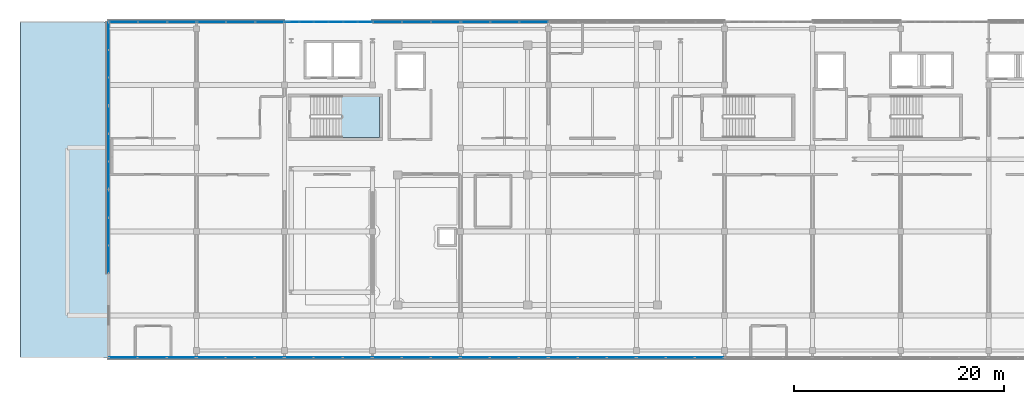
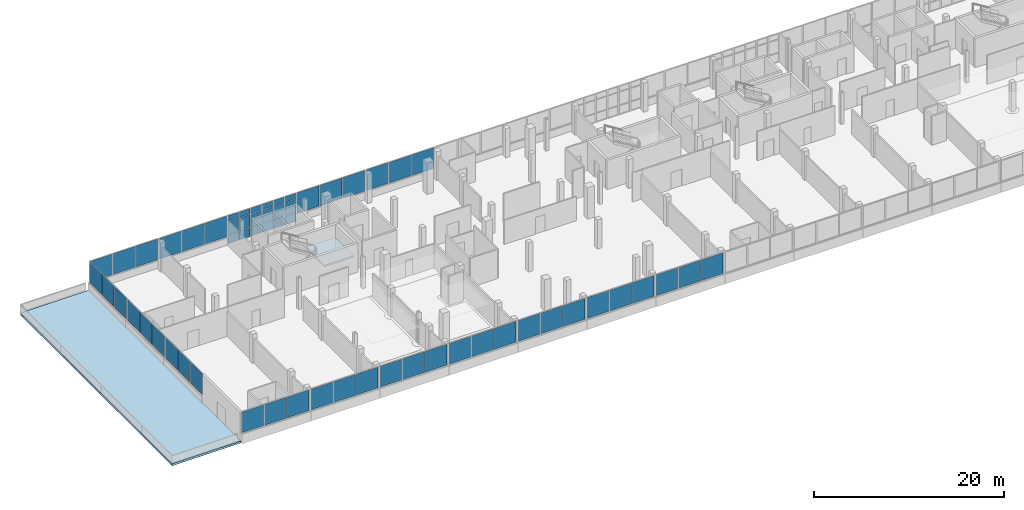
# One storey, part 51 of 67: 60 plates, 2 slabs, 16 elements without a shape of their own.
"""IFC4 building model written with IfcOpenShell, lengths in metres."""

from ifc_helpers import new_model, si_unit, direction, frame, origin, origin_2d, place, context, subcontext, project, spatial, polyline, rectangle, outline, extrude, material, layer, layer_set, type_object, element, aggregate, save


model = new_model("IFC4")

# Units and contexts
model_context = context("Model", 3, precision=1e-05, world=origin(), true_north=direction((0.0, 1.0)))
body_context = subcontext(model_context, "Body", "Model", "MODEL_VIEW")
ifc_project = project(units=[si_unit("LENGTHUNIT", "METRE"), si_unit("AREAUNIT", "SQUARE_METRE"), si_unit("VOLUMEUNIT", "CUBIC_METRE"), si_unit("PLANEANGLEUNIT", "RADIAN"), si_unit("MASSUNIT", "GRAM", prefix="KILO")], contexts=[model_context])

# Site, building, storey
site_placement = place(None, origin())
site = spatial("IfcSite", under=ifc_project, at=site_placement, CompositionType="ELEMENT")
building_placement = place(site_placement, origin())
building = spatial("IfcBuilding", under=site, at=building_placement, Name="Selatvlak General Hospital", CompositionType="ELEMENT")
storey_placement = place(building_placement, frame((0.0, 0.0, 35.39990234375)))
storey = spatial("IfcBuildingStorey", under=building, at=storey_placement, Name="L08", CompositionType="ELEMENT", Elevation=35.39990234375)

# Curtain wall, plates
ifc_material_1 = material(Name="Solar-control Low-E double glazing", Category="glass")
curtain_wall_type_1 = type_object("IfcCurtainWallType", Name="CW-CW-01", PredefinedType="USERDEFINED", material=ifc_material_1)
curtain_wall_1_placement = place(storey_placement, origin())
curtain_wall_1 = element("IfcCurtainWall", 1, at=curtain_wall_1_placement, inside=storey, type_object=curtain_wall_type_1, Name="Glazed facade curtain wall CW-L08-0680", ObjectType="UNITISED CURTAIN WALL", PredefinedType="USERDEFINED")
ifc_layer_1 = layer(ifc_material_1, 0.028076171875, Name="Solar-control Low-E double glazing", Category="glass")
ifc_layer_set_1 = layer_set([ifc_layer_1], Name="Solar-control Low-E double glazing")
plate_type = type_object("IfcPlateType", Name="CWP-01", PredefinedType="CURTAIN_PANEL", material=ifc_layer_set_1)
plate_1_placement = place(storey_placement, frame((31.199951171875, 97.359375, 1.005126953125), z_axis=(0.0, 0.0, 1.0), x_axis=(0.0, 1.0, 0.0)))
plate_1 = element("IfcPlate", 2, at=plate_1_placement, type_object=plate_type, Name="CW-01 panel 1.1", PredefinedType="CURTAIN_PANEL", context=body_context, shape_type="SweptSolid", body=[
    extrude(rectangle(XDim=2.558837890625, YDim=0.028076171875, at=origin_2d()), origin(), (0.0, 0.0, 1.0), 2.669921875),
])
plate_2_placement = place(storey_placement, frame((31.199951171875, 99.99951171875, 1.005126953125), z_axis=(0.0, 0.0, 1.0), x_axis=(0.0, 1.0, 0.0)))
plate_2 = element("IfcPlate", 3, at=plate_2_placement, type_object=plate_type, Name="CW-01 panel 2.1", PredefinedType="CURTAIN_PANEL", context=body_context, shape_type="SweptSolid", body=[
    extrude(rectangle(XDim=2.59130859375, YDim=0.028076171875, at=origin_2d()), origin(), (0.0, 0.0, 1.0), 2.669921875),
])
plate_3_placement = place(storey_placement, frame((31.199951171875, 102.6396484375, 1.005126953125), z_axis=(0.0, 0.0, 1.0), x_axis=(0.0, 1.0, 0.0)))
plate_3 = element("IfcPlate", 4, at=plate_3_placement, type_object=plate_type, Name="CW-01 panel 3.1", PredefinedType="CURTAIN_PANEL", context=body_context, shape_type="SweptSolid", body=[
    extrude(rectangle(XDim=2.558837890625, YDim=0.028076171875, at=origin_2d()), origin(), (0.0, 0.0, 1.0), 2.669921875),
])
aggregate(curtain_wall_1, [plate_1, plate_2, plate_3])

curtain_wall_type_2 = type_object("IfcCurtainWallType", Name="CW-CW-02", PredefinedType="USERDEFINED", material=ifc_material_1)
curtain_wall_2_placement = place(storey_placement, origin())
curtain_wall_2 = element("IfcCurtainWall", 5, at=curtain_wall_2_placement, inside=storey, type_object=curtain_wall_type_2, Name="Glazed facade curtain wall CW-L08-0681", ObjectType="UNITISED CURTAIN WALL", PredefinedType="USERDEFINED")
plate_4_placement = place(storey_placement, frame((31.199951171875, 105.400146484375, 1.005126953125), z_axis=(0.0, 0.0, 1.0), x_axis=(0.0, 1.0, 0.0)))
plate_4 = element("IfcPlate", 6, at=plate_4_placement, type_object=plate_type, Name="CW-02 panel 1.1", PredefinedType="CURTAIN_PANEL", context=body_context, shape_type="SweptSolid", body=[
    extrude(rectangle(XDim=2.54248046875, YDim=0.028076171875, at=origin_2d()), origin(), (0.0, 0.0, 1.0), 2.669921875),
])
plate_5_placement = place(storey_placement, frame((31.199951171875, 108.02392578125, 1.005126953125), z_axis=(0.0, 0.0, 1.0), x_axis=(0.0, 1.0, 0.0)))
plate_5 = element("IfcPlate", 7, at=plate_5_placement, type_object=plate_type, Name="CW-02 panel 2.1", PredefinedType="CURTAIN_PANEL", context=body_context, shape_type="SweptSolid", body=[
    extrude(rectangle(XDim=2.574951171875, YDim=0.028076171875, at=origin_2d()), origin(), (0.0, 0.0, 1.0), 2.669921875),
])
plate_6_placement = place(storey_placement, frame((31.199951171875, 110.647705078125, 1.005126953125), z_axis=(0.0, 0.0, 1.0), x_axis=(0.0, 1.0, 0.0)))
plate_6 = element("IfcPlate", 8, at=plate_6_placement, type_object=plate_type, Name="CW-02 panel 3.1", PredefinedType="CURTAIN_PANEL", context=body_context, shape_type="SweptSolid", body=[
    extrude(rectangle(XDim=2.54248046875, YDim=0.028076171875, at=origin_2d()), origin(), (0.0, 0.0, 1.0), 2.669921875),
])
aggregate(curtain_wall_2, [plate_4, plate_5, plate_6])

curtain_wall_3_placement = place(storey_placement, origin())
curtain_wall_3 = element("IfcCurtainWall", 9, at=curtain_wall_3_placement, inside=storey, type_object=curtain_wall_type_1, Name="Glazed facade curtain wall CW-L08-0682", ObjectType="UNITISED CURTAIN WALL", PredefinedType="USERDEFINED")
plate_7_placement = place(storey_placement, frame((31.199951171875, 113.400146484375, 1.005126953125), z_axis=(0.0, 0.0, 1.0), x_axis=(0.0, 1.0, 0.0)))
plate_7 = element("IfcPlate", 10, at=plate_7_placement, type_object=plate_type, Name="CW-01 panel 1.1", PredefinedType="CURTAIN_PANEL", context=body_context, shape_type="SweptSolid", body=[
    extrude(rectangle(XDim=2.54248046875, YDim=0.028076171875, at=origin_2d()), origin(), (0.0, 0.0, 1.0), 2.669921875),
])
plate_8_placement = place(storey_placement, frame((31.199951171875, 116.02392578125, 1.005126953125), z_axis=(0.0, 0.0, 1.0), x_axis=(0.0, 1.0, 0.0)))
plate_8 = element("IfcPlate", 11, at=plate_8_placement, type_object=plate_type, Name="CW-01 panel 2.1", PredefinedType="CURTAIN_PANEL", context=body_context, shape_type="SweptSolid", body=[
    extrude(rectangle(XDim=2.574951171875, YDim=0.028076171875, at=origin_2d()), origin(), (0.0, 0.0, 1.0), 2.669921875),
])
plate_9_placement = place(storey_placement, frame((31.199951171875, 118.647705078125, 1.005126953125), z_axis=(0.0, 0.0, 1.0), x_axis=(0.0, 1.0, 0.0)))
plate_9 = element("IfcPlate", 12, at=plate_9_placement, type_object=plate_type, Name="CW-01 panel 3.1", PredefinedType="CURTAIN_PANEL", context=body_context, shape_type="SweptSolid", body=[
    extrude(rectangle(XDim=2.54248046875, YDim=0.028076171875, at=origin_2d()), origin(), (0.0, 0.0, 1.0), 2.669921875),
])
aggregate(curtain_wall_3, [plate_7, plate_8, plate_9])

curtain_wall_4_placement = place(storey_placement, origin())
curtain_wall_4 = element("IfcCurtainWall", 13, at=curtain_wall_4_placement, inside=storey, type_object=curtain_wall_type_2, Name="Glazed facade curtain wall CW-L08-0683", ObjectType="UNITISED CURTAIN WALL", PredefinedType="USERDEFINED")
plate_10_placement = place(storey_placement, frame((32.66796875, 119.9990234375, 1.005126953125), z_axis=(0.0, 0.0, 1.0), x_axis=(1.0, 0.0, 0.0)))
plate_10 = element("IfcPlate", 14, at=plate_10_placement, type_object=plate_type, Name="CW-02 panel 1.1", PredefinedType="CURTAIN_PANEL", context=body_context, shape_type="SweptSolid", body=[
    extrude(rectangle(XDim=2.67578125, YDim=0.028076171875, at=origin_2d()), origin(), (0.0, 0.0, 1.0), 2.669921875),
])
plate_11_placement = place(storey_placement, frame((35.425048828125, 119.9990234375, 1.005126953125), z_axis=(0.0, 0.0, 1.0), x_axis=(1.0, 0.0, 0.0)))
plate_11 = element("IfcPlate", 15, at=plate_11_placement, type_object=plate_type, Name="CW-02 panel 2.1", PredefinedType="CURTAIN_PANEL", context=body_context, shape_type="SweptSolid", body=[
    extrude(rectangle(XDim=2.708251953125, YDim=0.028076171875, at=origin_2d()), origin(), (0.0, 0.0, 1.0), 2.669921875),
])
plate_12_placement = place(storey_placement, frame((38.18212890625, 119.9990234375, 1.005126953125), z_axis=(0.0, 0.0, 1.0), x_axis=(1.0, 0.0, 0.0)))
plate_12 = element("IfcPlate", 16, at=plate_12_placement, type_object=plate_type, Name="CW-02 panel 3.1", PredefinedType="CURTAIN_PANEL", context=body_context, shape_type="SweptSolid", body=[
    extrude(rectangle(XDim=2.67578125, YDim=0.028076171875, at=origin_2d()), origin(), (0.0, 0.0, 1.0), 2.669921875),
])
aggregate(curtain_wall_4, [plate_10, plate_11, plate_12])

curtain_wall_5_placement = place(storey_placement, origin())
curtain_wall_5 = element("IfcCurtainWall", 17, at=curtain_wall_5_placement, inside=storey, type_object=curtain_wall_type_1, Name="Glazed facade curtain wall CW-L08-0684", ObjectType="UNITISED CURTAIN WALL", PredefinedType="USERDEFINED")
plate_13_placement = place(storey_placement, frame((41.06787109375, 119.9990234375, 1.005126953125), z_axis=(0.0, 0.0, 1.0), x_axis=(1.0, 0.0, 0.0)))
plate_13 = element("IfcPlate", 18, at=plate_13_placement, type_object=plate_type, Name="CW-01 panel 1.1", PredefinedType="CURTAIN_PANEL", context=body_context, shape_type="SweptSolid", body=[
    extrude(rectangle(XDim=2.67578125, YDim=0.028076171875, at=origin_2d()), origin(), (0.0, 0.0, 1.0), 2.669921875),
])
plate_14_placement = place(storey_placement, frame((43.824951171875, 119.9990234375, 1.005126953125), z_axis=(0.0, 0.0, 1.0), x_axis=(1.0, 0.0, 0.0)))
plate_14 = element("IfcPlate", 19, at=plate_14_placement, type_object=plate_type, Name="CW-01 panel 2.1", PredefinedType="CURTAIN_PANEL", context=body_context, shape_type="SweptSolid", body=[
    extrude(rectangle(XDim=2.708251953125, YDim=0.028076171875, at=origin_2d()), origin(), (0.0, 0.0, 1.0), 2.669921875),
])
plate_15_placement = place(storey_placement, frame((46.58203125, 119.9990234375, 1.005126953125), z_axis=(0.0, 0.0, 1.0), x_axis=(1.0, 0.0, 0.0)))
plate_15 = element("IfcPlate", 20, at=plate_15_placement, type_object=plate_type, Name="CW-01 panel 3.1", PredefinedType="CURTAIN_PANEL", context=body_context, shape_type="SweptSolid", body=[
    extrude(rectangle(XDim=2.67578125, YDim=0.028076171875, at=origin_2d()), origin(), (0.0, 0.0, 1.0), 2.669921875),
])
aggregate(curtain_wall_5, [plate_13, plate_14, plate_15])

curtain_wall_type_3 = type_object("IfcCurtainWallType", Name="CW-CW-04", PredefinedType="USERDEFINED", material=ifc_material_1)
curtain_wall_6_placement = place(storey_placement, origin())
curtain_wall_6 = element("IfcCurtainWall", 21, at=curtain_wall_6_placement, inside=storey, type_object=curtain_wall_type_3, Name="Glazed facade curtain wall CW-L08-0685", ObjectType="STICK GLAZING WALL", PredefinedType="USERDEFINED")
plate_16_placement = place(storey_placement, frame((48.728759765625, 119.9990234375, 0.065185546875), z_axis=(0.0, 0.0, 1.0), x_axis=(1.0, 0.0, 0.0)))
plate_16 = element("IfcPlate", 22, at=plate_16_placement, type_object=plate_type, Name="CW-04 panel 1.1", PredefinedType="CURTAIN_PANEL", context=body_context, shape_type="SweptSolid", body=[
    extrude(rectangle(XDim=1.297607421875, YDim=0.028076171875, at=origin_2d()), origin(), (0.0, 0.0, 1.0), 1.1025390625),
])
plate_17_placement = place(storey_placement, frame((48.728759765625, 119.9990234375, 1.232421875), z_axis=(0.0, 0.0, 1.0), x_axis=(1.0, 0.0, 0.0)))
plate_17 = element("IfcPlate", 23, at=plate_17_placement, type_object=plate_type, Name="CW-04 panel 1.2", PredefinedType="CURTAIN_PANEL", context=body_context, shape_type="SweptSolid", body=[
    extrude(rectangle(XDim=1.297607421875, YDim=0.028076171875, at=origin_2d()), origin(), (0.0, 0.0, 1.0), 1.675048828125),
])
plate_18_placement = place(storey_placement, frame((48.728759765625, 119.9990234375, 2.97265625), z_axis=(0.0, 0.0, 1.0), x_axis=(1.0, 0.0, 0.0)))
plate_18 = element("IfcPlate", 24, at=plate_18_placement, type_object=plate_type, Name="CW-04 panel 1.3", PredefinedType="CURTAIN_PANEL", context=body_context, shape_type="SweptSolid", body=[
    extrude(rectangle(XDim=1.297607421875, YDim=0.028076171875, at=origin_2d()), origin(), (0.0, 0.0, 1.0), 0.702392578125),
])
plate_19_placement = place(storey_placement, frame((50.107421875, 119.9990234375, 0.065185546875), z_axis=(0.0, 0.0, 1.0), x_axis=(1.0, 0.0, 0.0)))
plate_19 = element("IfcPlate", 25, at=plate_19_placement, type_object=plate_type, Name="CW-04 panel 2.1", PredefinedType="CURTAIN_PANEL", context=body_context, shape_type="SweptSolid", body=[
    extrude(rectangle(XDim=1.330078125, YDim=0.028076171875, at=origin_2d()), origin(), (0.0, 0.0, 1.0), 1.1025390625),
])
plate_20_placement = place(storey_placement, frame((50.107421875, 119.9990234375, 1.232421875), z_axis=(0.0, 0.0, 1.0), x_axis=(1.0, 0.0, 0.0)))
plate_20 = element("IfcPlate", 26, at=plate_20_placement, type_object=plate_type, Name="CW-04 panel 2.2", PredefinedType="CURTAIN_PANEL", context=body_context, shape_type="SweptSolid", body=[
    extrude(rectangle(XDim=1.330078125, YDim=0.028076171875, at=origin_2d()), origin(), (0.0, 0.0, 1.0), 1.675048828125),
])
plate_21_placement = place(storey_placement, frame((50.107421875, 119.9990234375, 2.97265625), z_axis=(0.0, 0.0, 1.0), x_axis=(1.0, 0.0, 0.0)))
plate_21 = element("IfcPlate", 27, at=plate_21_placement, type_object=plate_type, Name="CW-04 panel 2.3", PredefinedType="CURTAIN_PANEL", context=body_context, shape_type="SweptSolid", body=[
    extrude(rectangle(XDim=1.330078125, YDim=0.028076171875, at=origin_2d()), origin(), (0.0, 0.0, 1.0), 0.702392578125),
])
plate_22_placement = place(storey_placement, frame((51.50244140625, 119.9990234375, 0.065185546875), z_axis=(0.0, 0.0, 1.0), x_axis=(1.0, 0.0, 0.0)))
plate_22 = element("IfcPlate", 28, at=plate_22_placement, type_object=plate_type, Name="CW-04 panel 3.1", PredefinedType="CURTAIN_PANEL", context=body_context, shape_type="SweptSolid", body=[
    extrude(rectangle(XDim=1.330078125, YDim=0.028076171875, at=origin_2d()), origin(), (0.0, 0.0, 1.0), 1.1025390625),
])
plate_23_placement = place(storey_placement, frame((51.50244140625, 119.9990234375, 1.232421875), z_axis=(0.0, 0.0, 1.0), x_axis=(1.0, 0.0, 0.0)))
plate_23 = element("IfcPlate", 29, at=plate_23_placement, type_object=plate_type, Name="CW-04 panel 3.2", PredefinedType="CURTAIN_PANEL", context=body_context, shape_type="SweptSolid", body=[
    extrude(rectangle(XDim=1.330078125, YDim=0.028076171875, at=origin_2d()), origin(), (0.0, 0.0, 1.0), 1.675048828125),
])
plate_24_placement = place(storey_placement, frame((51.50244140625, 119.9990234375, 2.97265625), z_axis=(0.0, 0.0, 1.0), x_axis=(1.0, 0.0, 0.0)))
plate_24 = element("IfcPlate", 30, at=plate_24_placement, type_object=plate_type, Name="CW-04 panel 3.3", PredefinedType="CURTAIN_PANEL", context=body_context, shape_type="SweptSolid", body=[
    extrude(rectangle(XDim=1.330078125, YDim=0.028076171875, at=origin_2d()), origin(), (0.0, 0.0, 1.0), 0.702392578125),
])
plate_25_placement = place(storey_placement, frame((52.8974609375, 119.9990234375, 0.065185546875), z_axis=(0.0, 0.0, 1.0), x_axis=(1.0, 0.0, 0.0)))
plate_25 = element("IfcPlate", 31, at=plate_25_placement, type_object=plate_type, Name="CW-04 panel 4.1", PredefinedType="CURTAIN_PANEL", context=body_context, shape_type="SweptSolid", body=[
    extrude(rectangle(XDim=1.330078125, YDim=0.028076171875, at=origin_2d()), origin(), (0.0, 0.0, 1.0), 1.1025390625),
])
plate_26_placement = place(storey_placement, frame((52.8974609375, 119.9990234375, 1.232421875), z_axis=(0.0, 0.0, 1.0), x_axis=(1.0, 0.0, 0.0)))
plate_26 = element("IfcPlate", 32, at=plate_26_placement, type_object=plate_type, Name="CW-04 panel 4.2", PredefinedType="CURTAIN_PANEL", context=body_context, shape_type="SweptSolid", body=[
    extrude(rectangle(XDim=1.330078125, YDim=0.028076171875, at=origin_2d()), origin(), (0.0, 0.0, 1.0), 1.675048828125),
])
plate_27_placement = place(storey_placement, frame((52.8974609375, 119.9990234375, 2.97265625), z_axis=(0.0, 0.0, 1.0), x_axis=(1.0, 0.0, 0.0)))
plate_27 = element("IfcPlate", 33, at=plate_27_placement, type_object=plate_type, Name="CW-04 panel 4.3", PredefinedType="CURTAIN_PANEL", context=body_context, shape_type="SweptSolid", body=[
    extrude(rectangle(XDim=1.330078125, YDim=0.028076171875, at=origin_2d()), origin(), (0.0, 0.0, 1.0), 0.702392578125),
])
plate_28_placement = place(storey_placement, frame((54.29248046875, 119.9990234375, 0.065185546875), z_axis=(0.0, 0.0, 1.0), x_axis=(1.0, 0.0, 0.0)))
plate_28 = element("IfcPlate", 34, at=plate_28_placement, type_object=plate_type, Name="CW-04 panel 5.1", PredefinedType="CURTAIN_PANEL", context=body_context, shape_type="SweptSolid", body=[
    extrude(rectangle(XDim=1.330078125, YDim=0.028076171875, at=origin_2d()), origin(), (0.0, 0.0, 1.0), 1.1025390625),
])
plate_29_placement = place(storey_placement, frame((54.29248046875, 119.9990234375, 1.232421875), z_axis=(0.0, 0.0, 1.0), x_axis=(1.0, 0.0, 0.0)))
plate_29 = element("IfcPlate", 35, at=plate_29_placement, type_object=plate_type, Name="CW-04 panel 5.2", PredefinedType="CURTAIN_PANEL", context=body_context, shape_type="SweptSolid", body=[
    extrude(rectangle(XDim=1.330078125, YDim=0.028076171875, at=origin_2d()), origin(), (0.0, 0.0, 1.0), 1.675048828125),
])
plate_30_placement = place(storey_placement, frame((54.29248046875, 119.9990234375, 2.97265625), z_axis=(0.0, 0.0, 1.0), x_axis=(1.0, 0.0, 0.0)))
plate_30 = element("IfcPlate", 36, at=plate_30_placement, type_object=plate_type, Name="CW-04 panel 5.3", PredefinedType="CURTAIN_PANEL", context=body_context, shape_type="SweptSolid", body=[
    extrude(rectangle(XDim=1.330078125, YDim=0.028076171875, at=origin_2d()), origin(), (0.0, 0.0, 1.0), 0.702392578125),
])
plate_31_placement = place(storey_placement, frame((55.671142578125, 119.9990234375, 0.065185546875), z_axis=(0.0, 0.0, 1.0), x_axis=(1.0, 0.0, 0.0)))
plate_31 = element("IfcPlate", 37, at=plate_31_placement, type_object=plate_type, Name="CW-04 panel 6.1", PredefinedType="CURTAIN_PANEL", context=body_context, shape_type="SweptSolid", body=[
    extrude(rectangle(XDim=1.297607421875, YDim=0.028076171875, at=origin_2d()), origin(), (0.0, 0.0, 1.0), 1.1025390625),
])
plate_32_placement = place(storey_placement, frame((55.671142578125, 119.9990234375, 1.232421875), z_axis=(0.0, 0.0, 1.0), x_axis=(1.0, 0.0, 0.0)))
plate_32 = element("IfcPlate", 38, at=plate_32_placement, type_object=plate_type, Name="CW-04 panel 6.2", PredefinedType="CURTAIN_PANEL", context=body_context, shape_type="SweptSolid", body=[
    extrude(rectangle(XDim=1.297607421875, YDim=0.028076171875, at=origin_2d()), origin(), (0.0, 0.0, 1.0), 1.675048828125),
])
plate_33_placement = place(storey_placement, frame((55.671142578125, 119.9990234375, 2.97265625), z_axis=(0.0, 0.0, 1.0), x_axis=(1.0, 0.0, 0.0)))
plate_33 = element("IfcPlate", 39, at=plate_33_placement, type_object=plate_type, Name="CW-04 panel 6.3", PredefinedType="CURTAIN_PANEL", context=body_context, shape_type="SweptSolid", body=[
    extrude(rectangle(XDim=1.297607421875, YDim=0.028076171875, at=origin_2d()), origin(), (0.0, 0.0, 1.0), 0.702392578125),
])
aggregate(curtain_wall_6, [plate_16, plate_17, plate_18, plate_19, plate_20, plate_21, plate_22, plate_23, plate_24, plate_25, plate_26, plate_27, plate_28, plate_29, plate_30, plate_31, plate_32, plate_33])

curtain_wall_7_placement = place(storey_placement, origin())
curtain_wall_7 = element("IfcCurtainWall", 40, at=curtain_wall_7_placement, inside=storey, type_object=curtain_wall_type_1, Name="Glazed facade curtain wall CW-L08-0686", ObjectType="UNITISED CURTAIN WALL", PredefinedType="USERDEFINED")
plate_34_placement = place(storey_placement, frame((57.826171875, 119.9990234375, 1.005126953125), z_axis=(0.0, 0.0, 1.0), x_axis=(1.0, 0.0, 0.0)))
plate_34 = element("IfcPlate", 41, at=plate_34_placement, type_object=plate_type, Name="CW-01 panel 1.1", PredefinedType="CURTAIN_PANEL", context=body_context, shape_type="SweptSolid", body=[
    extrude(rectangle(XDim=2.6923828125, YDim=0.028076171875, at=origin_2d()), origin(), (0.0, 0.0, 1.0), 2.669921875),
])
plate_35_placement = place(storey_placement, frame((60.60009765625, 119.9990234375, 1.005126953125), z_axis=(0.0, 0.0, 1.0), x_axis=(1.0, 0.0, 0.0)))
plate_35 = element("IfcPlate", 42, at=plate_35_placement, type_object=plate_type, Name="CW-01 panel 2.1", PredefinedType="CURTAIN_PANEL", context=body_context, shape_type="SweptSolid", body=[
    extrude(rectangle(XDim=2.72509765625, YDim=0.028076171875, at=origin_2d()), origin(), (0.0, 0.0, 1.0), 2.669921875),
])
plate_36_placement = place(storey_placement, frame((63.373779296875, 119.9990234375, 1.005126953125), z_axis=(0.0, 0.0, 1.0), x_axis=(1.0, 0.0, 0.0)))
plate_36 = element("IfcPlate", 43, at=plate_36_placement, type_object=plate_type, Name="CW-01 panel 3.1", PredefinedType="CURTAIN_PANEL", context=body_context, shape_type="SweptSolid", body=[
    extrude(rectangle(XDim=2.6923828125, YDim=0.028076171875, at=origin_2d()), origin(), (0.0, 0.0, 1.0), 2.669921875),
])
aggregate(curtain_wall_7, [plate_34, plate_35, plate_36])

curtain_wall_8_placement = place(storey_placement, origin())
curtain_wall_8 = element("IfcCurtainWall", 44, at=curtain_wall_8_placement, inside=storey, type_object=curtain_wall_type_2, Name="Glazed facade curtain wall CW-L08-0687", ObjectType="UNITISED CURTAIN WALL", PredefinedType="USERDEFINED")
plate_37_placement = place(storey_placement, frame((66.267822265625, 119.9990234375, 1.005126953125), z_axis=(0.0, 0.0, 1.0), x_axis=(1.0, 0.0, 0.0)))
plate_37 = element("IfcPlate", 45, at=plate_37_placement, type_object=plate_type, Name="CW-02 panel 1.1", PredefinedType="CURTAIN_PANEL", context=body_context, shape_type="SweptSolid", body=[
    extrude(rectangle(XDim=2.67578125, YDim=0.028076171875, at=origin_2d()), origin(), (0.0, 0.0, 1.0), 2.669921875),
])
plate_38_placement = place(storey_placement, frame((69.02490234375, 119.9990234375, 1.005126953125), z_axis=(0.0, 0.0, 1.0), x_axis=(1.0, 0.0, 0.0)))
plate_38 = element("IfcPlate", 46, at=plate_38_placement, type_object=plate_type, Name="CW-02 panel 2.1", PredefinedType="CURTAIN_PANEL", context=body_context, shape_type="SweptSolid", body=[
    extrude(rectangle(XDim=2.708251953125, YDim=0.028076171875, at=origin_2d()), origin(), (0.0, 0.0, 1.0), 2.669921875),
])
plate_39_placement = place(storey_placement, frame((71.781982421875, 119.9990234375, 1.005126953125), z_axis=(0.0, 0.0, 1.0), x_axis=(1.0, 0.0, 0.0)))
plate_39 = element("IfcPlate", 47, at=plate_39_placement, type_object=plate_type, Name="CW-02 panel 3.1", PredefinedType="CURTAIN_PANEL", context=body_context, shape_type="SweptSolid", body=[
    extrude(rectangle(XDim=2.67578125, YDim=0.028076171875, at=origin_2d()), origin(), (0.0, 0.0, 1.0), 2.669921875),
])
aggregate(curtain_wall_8, [plate_37, plate_38, plate_39])

curtain_wall_9_placement = place(storey_placement, origin())
curtain_wall_9 = element("IfcCurtainWall", 48, at=curtain_wall_9_placement, inside=storey, type_object=curtain_wall_type_2, Name="Glazed facade curtain wall CW-L08-0709", ObjectType="UNITISED CURTAIN WALL", PredefinedType="USERDEFINED")
plate_40_placement = place(storey_placement, frame((88.531982421875, 88.0, 1.005126953125), z_axis=(0.0, 0.0, 1.0), x_axis=(-1.0, 0.0, 0.0)))
plate_40 = element("IfcPlate", 49, at=plate_40_placement, type_object=plate_type, Name="CW-02 panel 1.1", PredefinedType="CURTAIN_PANEL", context=body_context, shape_type="SweptSolid", body=[
    extrude(rectangle(XDim=2.67578125, YDim=0.028076171875, at=origin_2d()), origin(), (0.0, 0.0, 1.0), 2.669921875),
])
plate_41_placement = place(storey_placement, frame((85.77490234375, 88.0, 1.005126953125), z_axis=(0.0, 0.0, 1.0), x_axis=(-1.0, 0.0, 0.0)))
plate_41 = element("IfcPlate", 50, at=plate_41_placement, type_object=plate_type, Name="CW-02 panel 2.1", PredefinedType="CURTAIN_PANEL", context=body_context, shape_type="SweptSolid", body=[
    extrude(rectangle(XDim=2.708251953125, YDim=0.028076171875, at=origin_2d()), origin(), (0.0, 0.0, 1.0), 2.669921875),
])
plate_42_placement = place(storey_placement, frame((83.017822265625, 88.0, 1.005126953125), z_axis=(0.0, 0.0, 1.0), x_axis=(-1.0, 0.0, 0.0)))
plate_42 = element("IfcPlate", 51, at=plate_42_placement, type_object=plate_type, Name="CW-02 panel 3.1", PredefinedType="CURTAIN_PANEL", context=body_context, shape_type="SweptSolid", body=[
    extrude(rectangle(XDim=2.67578125, YDim=0.028076171875, at=origin_2d()), origin(), (0.0, 0.0, 1.0), 2.669921875),
])
aggregate(curtain_wall_9, [plate_40, plate_41, plate_42])

curtain_wall_10_placement = place(storey_placement, origin())
curtain_wall_10 = element("IfcCurtainWall", 52, at=curtain_wall_10_placement, inside=storey, type_object=curtain_wall_type_1, Name="Glazed facade curtain wall CW-L08-0710", ObjectType="UNITISED CURTAIN WALL", PredefinedType="USERDEFINED")
plate_43_placement = place(storey_placement, frame((80.132080078125, 88.0, 1.005126953125), z_axis=(0.0, 0.0, 1.0), x_axis=(-1.0, 0.0, 0.0)))
plate_43 = element("IfcPlate", 53, at=plate_43_placement, type_object=plate_type, Name="CW-01 panel 1.1", PredefinedType="CURTAIN_PANEL", context=body_context, shape_type="SweptSolid", body=[
    extrude(rectangle(XDim=2.67578125, YDim=0.028076171875, at=origin_2d()), origin(), (0.0, 0.0, 1.0), 2.669921875),
])
plate_44_placement = place(storey_placement, frame((77.375, 88.0, 1.005126953125), z_axis=(0.0, 0.0, 1.0), x_axis=(-1.0, 0.0, 0.0)))
plate_44 = element("IfcPlate", 54, at=plate_44_placement, type_object=plate_type, Name="CW-01 panel 2.1", PredefinedType="CURTAIN_PANEL", context=body_context, shape_type="SweptSolid", body=[
    extrude(rectangle(XDim=2.708251953125, YDim=0.028076171875, at=origin_2d()), origin(), (0.0, 0.0, 1.0), 2.669921875),
])
plate_45_placement = place(storey_placement, frame((74.617919921875, 88.0, 1.005126953125), z_axis=(0.0, 0.0, 1.0), x_axis=(-1.0, 0.0, 0.0)))
plate_45 = element("IfcPlate", 55, at=plate_45_placement, type_object=plate_type, Name="CW-01 panel 3.1", PredefinedType="CURTAIN_PANEL", context=body_context, shape_type="SweptSolid", body=[
    extrude(rectangle(XDim=2.67578125, YDim=0.028076171875, at=origin_2d()), origin(), (0.0, 0.0, 1.0), 2.669921875),
])
aggregate(curtain_wall_10, [plate_43, plate_44, plate_45])

curtain_wall_11_placement = place(storey_placement, origin())
curtain_wall_11 = element("IfcCurtainWall", 56, at=curtain_wall_11_placement, inside=storey, type_object=curtain_wall_type_2, Name="Glazed facade curtain wall CW-L08-0711", ObjectType="UNITISED CURTAIN WALL", PredefinedType="USERDEFINED")
plate_46_placement = place(storey_placement, frame((71.732177734375, 88.0, 1.005126953125), z_axis=(0.0, 0.0, 1.0), x_axis=(-1.0, 0.0, 0.0)))
plate_46 = element("IfcPlate", 57, at=plate_46_placement, type_object=plate_type, Name="CW-02 panel 1.1", PredefinedType="CURTAIN_PANEL", context=body_context, shape_type="SweptSolid", body=[
    extrude(rectangle(XDim=2.67578125, YDim=0.028076171875, at=origin_2d()), origin(), (0.0, 0.0, 1.0), 2.669921875),
])
plate_47_placement = place(storey_placement, frame((68.97509765625, 88.0, 1.005126953125), z_axis=(0.0, 0.0, 1.0), x_axis=(-1.0, 0.0, 0.0)))
plate_47 = element("IfcPlate", 58, at=plate_47_placement, type_object=plate_type, Name="CW-02 panel 2.1", PredefinedType="CURTAIN_PANEL", context=body_context, shape_type="SweptSolid", body=[
    extrude(rectangle(XDim=2.708251953125, YDim=0.028076171875, at=origin_2d()), origin(), (0.0, 0.0, 1.0), 2.669921875),
])
plate_48_placement = place(storey_placement, frame((66.218017578125, 88.0, 1.005126953125), z_axis=(0.0, 0.0, 1.0), x_axis=(-1.0, 0.0, 0.0)))
plate_48 = element("IfcPlate", 59, at=plate_48_placement, type_object=plate_type, Name="CW-02 panel 3.1", PredefinedType="CURTAIN_PANEL", context=body_context, shape_type="SweptSolid", body=[
    extrude(rectangle(XDim=2.67578125, YDim=0.028076171875, at=origin_2d()), origin(), (0.0, 0.0, 1.0), 2.669921875),
])
aggregate(curtain_wall_11, [plate_46, plate_47, plate_48])

curtain_wall_12_placement = place(storey_placement, origin())
curtain_wall_12 = element("IfcCurtainWall", 60, at=curtain_wall_12_placement, inside=storey, type_object=curtain_wall_type_1, Name="Glazed facade curtain wall CW-L08-0712", ObjectType="UNITISED CURTAIN WALL", PredefinedType="USERDEFINED")
plate_49_placement = place(storey_placement, frame((63.33203125, 88.0, 1.005126953125), z_axis=(0.0, 0.0, 1.0), x_axis=(-1.0, 0.0, 0.0)))
plate_49 = element("IfcPlate", 61, at=plate_49_placement, type_object=plate_type, Name="CW-01 panel 1.1", PredefinedType="CURTAIN_PANEL", context=body_context, shape_type="SweptSolid", body=[
    extrude(rectangle(XDim=2.67578125, YDim=0.028076171875, at=origin_2d()), origin(), (0.0, 0.0, 1.0), 2.669921875),
])
plate_50_placement = place(storey_placement, frame((60.574951171875, 88.0, 1.005126953125), z_axis=(0.0, 0.0, 1.0), x_axis=(-1.0, 0.0, 0.0)))
plate_50 = element("IfcPlate", 62, at=plate_50_placement, type_object=plate_type, Name="CW-01 panel 2.1", PredefinedType="CURTAIN_PANEL", context=body_context, shape_type="SweptSolid", body=[
    extrude(rectangle(XDim=2.708251953125, YDim=0.028076171875, at=origin_2d()), origin(), (0.0, 0.0, 1.0), 2.669921875),
])
plate_51_placement = place(storey_placement, frame((57.81787109375, 88.0, 1.005126953125), z_axis=(0.0, 0.0, 1.0), x_axis=(-1.0, 0.0, 0.0)))
plate_51 = element("IfcPlate", 63, at=plate_51_placement, type_object=plate_type, Name="CW-01 panel 3.1", PredefinedType="CURTAIN_PANEL", context=body_context, shape_type="SweptSolid", body=[
    extrude(rectangle(XDim=2.67578125, YDim=0.028076171875, at=origin_2d()), origin(), (0.0, 0.0, 1.0), 2.669921875),
])
aggregate(curtain_wall_12, [plate_49, plate_50, plate_51])

curtain_wall_13_placement = place(storey_placement, origin())
curtain_wall_13 = element("IfcCurtainWall", 64, at=curtain_wall_13_placement, inside=storey, type_object=curtain_wall_type_2, Name="Glazed facade curtain wall CW-L08-0713", ObjectType="UNITISED CURTAIN WALL", PredefinedType="USERDEFINED")
plate_52_placement = place(storey_placement, frame((54.93212890625, 88.0, 1.005126953125), z_axis=(0.0, 0.0, 1.0), x_axis=(-1.0, 0.0, 0.0)))
plate_52 = element("IfcPlate", 65, at=plate_52_placement, type_object=plate_type, Name="CW-02 panel 1.1", PredefinedType="CURTAIN_PANEL", context=body_context, shape_type="SweptSolid", body=[
    extrude(rectangle(XDim=2.67578125, YDim=0.028076171875, at=origin_2d()), origin(), (0.0, 0.0, 1.0), 2.669921875),
])
plate_53_placement = place(storey_placement, frame((52.175048828125, 88.0, 1.005126953125), z_axis=(0.0, 0.0, 1.0), x_axis=(-1.0, 0.0, 0.0)))
plate_53 = element("IfcPlate", 66, at=plate_53_placement, type_object=plate_type, Name="CW-02 panel 2.1", PredefinedType="CURTAIN_PANEL", context=body_context, shape_type="SweptSolid", body=[
    extrude(rectangle(XDim=2.708251953125, YDim=0.028076171875, at=origin_2d()), origin(), (0.0, 0.0, 1.0), 2.669921875),
])
plate_54_placement = place(storey_placement, frame((49.41796875, 88.0, 1.005126953125), z_axis=(0.0, 0.0, 1.0), x_axis=(-1.0, 0.0, 0.0)))
plate_54 = element("IfcPlate", 67, at=plate_54_placement, type_object=plate_type, Name="CW-02 panel 3.1", PredefinedType="CURTAIN_PANEL", context=body_context, shape_type="SweptSolid", body=[
    extrude(rectangle(XDim=2.67578125, YDim=0.028076171875, at=origin_2d()), origin(), (0.0, 0.0, 1.0), 2.669921875),
])
aggregate(curtain_wall_13, [plate_52, plate_53, plate_54])

curtain_wall_14_placement = place(storey_placement, origin())
curtain_wall_14 = element("IfcCurtainWall", 68, at=curtain_wall_14_placement, inside=storey, type_object=curtain_wall_type_1, Name="Glazed facade curtain wall CW-L08-0714", ObjectType="UNITISED CURTAIN WALL", PredefinedType="USERDEFINED")
plate_55_placement = place(storey_placement, frame((46.531982421875, 88.0, 1.005126953125), z_axis=(0.0, 0.0, 1.0), x_axis=(-1.0, 0.0, 0.0)))
plate_55 = element("IfcPlate", 69, at=plate_55_placement, type_object=plate_type, Name="CW-01 panel 1.1", PredefinedType="CURTAIN_PANEL", context=body_context, shape_type="SweptSolid", body=[
    extrude(rectangle(XDim=2.67578125, YDim=0.028076171875, at=origin_2d()), origin(), (0.0, 0.0, 1.0), 2.669921875),
])
plate_56_placement = place(storey_placement, frame((43.77490234375, 88.0, 1.005126953125), z_axis=(0.0, 0.0, 1.0), x_axis=(-1.0, 0.0, 0.0)))
plate_56 = element("IfcPlate", 70, at=plate_56_placement, type_object=plate_type, Name="CW-01 panel 2.1", PredefinedType="CURTAIN_PANEL", context=body_context, shape_type="SweptSolid", body=[
    extrude(rectangle(XDim=2.708251953125, YDim=0.028076171875, at=origin_2d()), origin(), (0.0, 0.0, 1.0), 2.669921875),
])
plate_57_placement = place(storey_placement, frame((41.017822265625, 88.0, 1.005126953125), z_axis=(0.0, 0.0, 1.0), x_axis=(-1.0, 0.0, 0.0)))
plate_57 = element("IfcPlate", 71, at=plate_57_placement, type_object=plate_type, Name="CW-01 panel 3.1", PredefinedType="CURTAIN_PANEL", context=body_context, shape_type="SweptSolid", body=[
    extrude(rectangle(XDim=2.67578125, YDim=0.028076171875, at=origin_2d()), origin(), (0.0, 0.0, 1.0), 2.669921875),
])
aggregate(curtain_wall_14, [plate_55, plate_56, plate_57])

curtain_wall_15_placement = place(storey_placement, origin())
curtain_wall_15 = element("IfcCurtainWall", 72, at=curtain_wall_15_placement, inside=storey, type_object=curtain_wall_type_2, Name="Glazed facade curtain wall CW-L08-0715", ObjectType="UNITISED CURTAIN WALL", PredefinedType="USERDEFINED")
plate_58_placement = place(storey_placement, frame((38.132080078125, 88.0, 1.005126953125), z_axis=(0.0, 0.0, 1.0), x_axis=(-1.0, 0.0, 0.0)))
plate_58 = element("IfcPlate", 73, at=plate_58_placement, type_object=plate_type, Name="CW-02 panel 1.1", PredefinedType="CURTAIN_PANEL", context=body_context, shape_type="SweptSolid", body=[
    extrude(rectangle(XDim=2.67578125, YDim=0.028076171875, at=origin_2d()), origin(), (0.0, 0.0, 1.0), 2.669921875),
])
plate_59_placement = place(storey_placement, frame((35.375, 88.0, 1.005126953125), z_axis=(0.0, 0.0, 1.0), x_axis=(-1.0, 0.0, 0.0)))
plate_59 = element("IfcPlate", 74, at=plate_59_placement, type_object=plate_type, Name="CW-02 panel 2.1", PredefinedType="CURTAIN_PANEL", context=body_context, shape_type="SweptSolid", body=[
    extrude(rectangle(XDim=2.708251953125, YDim=0.028076171875, at=origin_2d()), origin(), (0.0, 0.0, 1.0), 2.669921875),
])
plate_60_placement = place(storey_placement, frame((32.617919921875, 88.0, 1.005126953125), z_axis=(0.0, 0.0, 1.0), x_axis=(-1.0, 0.0, 0.0)))
plate_60 = element("IfcPlate", 75, at=plate_60_placement, type_object=plate_type, Name="CW-02 panel 3.1", PredefinedType="CURTAIN_PANEL", context=body_context, shape_type="SweptSolid", body=[
    extrude(rectangle(XDim=2.67578125, YDim=0.028076171875, at=origin_2d()), origin(), (0.0, 0.0, 1.0), 2.669921875),
])
aggregate(curtain_wall_15, [plate_58, plate_59, plate_60])

# Stair, slab
ifc_material_2 = material(Name="Precast concrete C40/50", Category="concrete")
stair_type = type_object("IfcStairType", Name="STAIR-ST-01", PredefinedType="HALF_TURN_STAIR", material=ifc_material_2)
stair_placement = place(storey_placement, origin())
stair = element("IfcStair", 76, at=stair_placement, inside=storey, type_object=stair_type, Name="L08 Protected exit stair ST-01", PredefinedType="HALF_TURN_STAIR")
ifc_material_3 = material(Name="Concrete C40/50", Category="concrete")
ifc_layer_2 = layer(ifc_material_3, 0.199951171875, Name="Concrete C40/50", Category="concrete")
ifc_layer_set_2 = layer_set([ifc_layer_2], Name="Concrete C40/50")
slab_type_1 = type_object("IfcSlabType", Name="SLAB-LND1", PredefinedType="LANDING", material=ifc_layer_set_2)
slab_1_placement = place(storey_placement, frame((0.0, 0.0, 1.8251953125)))
slab_1 = element("IfcSlab", 77, at=slab_1_placement, type_object=slab_type_1, Name="ST-01 landing 1", PredefinedType="LANDING", context=body_context, shape_type="SweptSolid", body=[
    extrude(outline(polyline([(53.465087890625, 109.0), (57.050048828125, 109.0), (57.050048828125, 112.93994140625), (53.465087890625, 112.93994140625), (53.465087890625, 109.0)])), origin(), (0.0, 0.0, 1.0), 0.199951171875),
])
aggregate(stair, [slab_1])

# Slab
ifc_layer_3 = layer(ifc_material_3, 0.27197265625, Name="Concrete C40/50", Category="concrete")
ifc_layer_set_3 = layer_set([ifc_layer_3], Name="Concrete C40/50")
slab_type_2 = type_object("IfcSlabType", Name="SLAB-SL-RF8", PredefinedType="ROOF", material=ifc_layer_set_3)
slab_2_placement = place(storey_placement, frame((0.0, 0.0, -0.27197265625)))
element("IfcSlab", 78, at=slab_2_placement, inside=storey, type_object=slab_type_2, Name="L08 roof slab ROOF-V5-TERR8", PredefinedType="ROOF", context=body_context, shape_type="SweptSolid", body=[
    extrude(outline(polyline([(31.19189453125, 120.0), (31.19189453125, 88.0), (22.800048828125, 88.0), (22.800048828125, 120.0), (31.19189453125, 120.0)])), origin(), (0.0, 0.0, 1.0), 0.27197265625),
])

save(model, "model.ifc")
